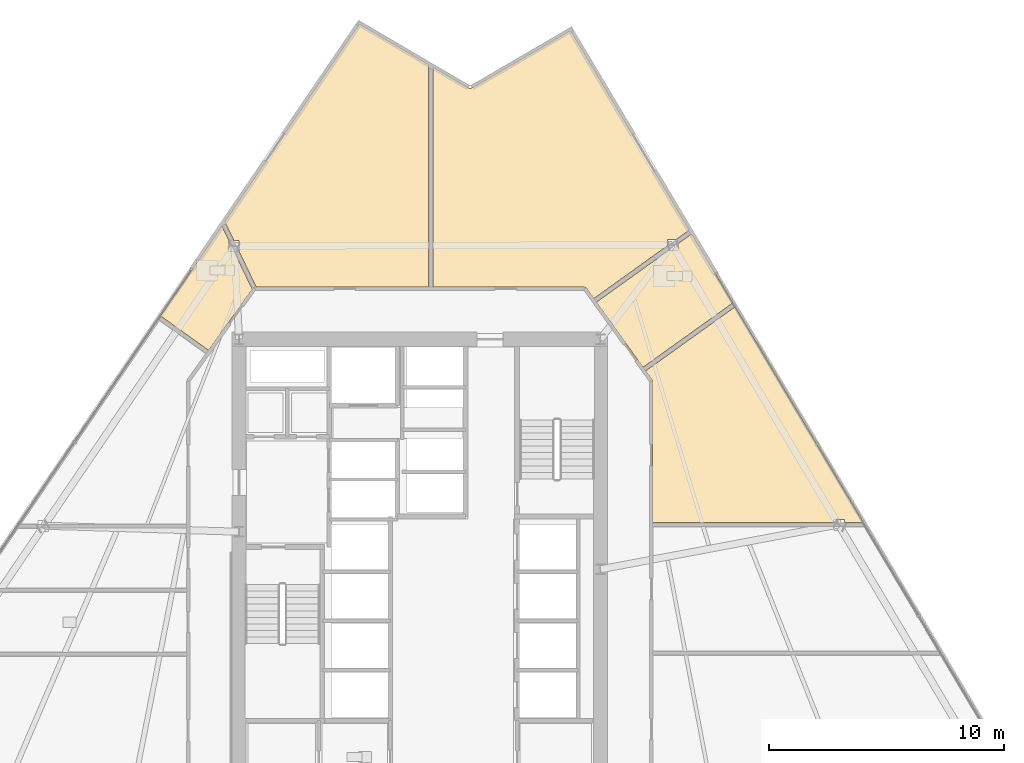
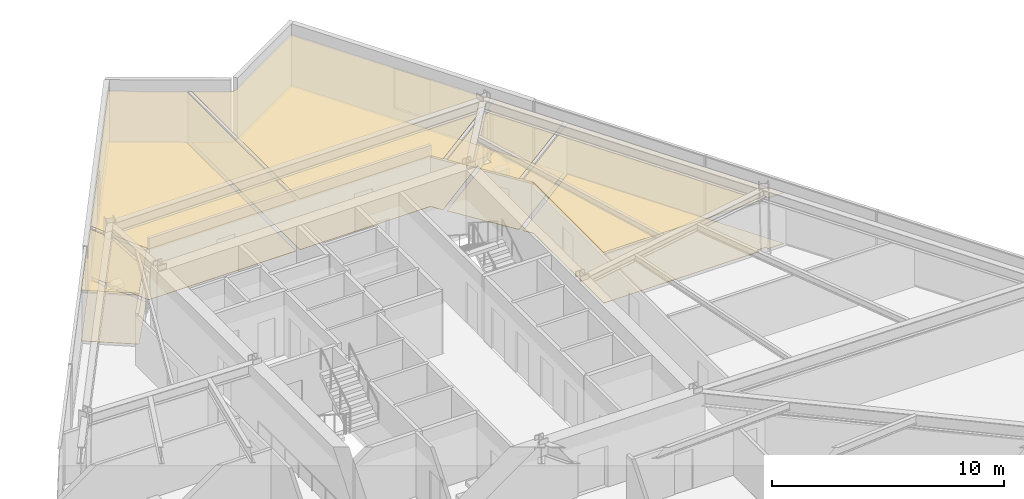
# One storey, part 15 of 16: 10 coverings.
"""IFC4 building model written with IfcOpenShell, lengths in metres."""

from ifc_helpers import new_model, si_unit, direction, frame, origin, place, context, subcontext, project, spatial, polyline, outline, extrude, material, layer, layer_set, type_object, element, save


model = new_model("IFC4")

# Units and contexts
model_context = context("Model", 3, precision=1e-05, world=origin(), true_north=direction((0.0, 1.0)))
body_context = subcontext(model_context, "Body", "Model", "MODEL_VIEW")
ifc_project = project(units=[si_unit("LENGTHUNIT", "METRE"), si_unit("AREAUNIT", "SQUARE_METRE"), si_unit("VOLUMEUNIT", "CUBIC_METRE"), si_unit("PLANEANGLEUNIT", "RADIAN"), si_unit("MASSUNIT", "GRAM", prefix="KILO")], contexts=[model_context])

# Site, building, storey
site_placement = place(None, origin())
site = spatial("IfcSite", under=ifc_project, at=site_placement, CompositionType="ELEMENT")
building_placement = place(site_placement, origin())
building = spatial("IfcBuilding", under=site, at=building_placement, Name="Savorim Split Tower", CompositionType="ELEMENT")
storey_placement = place(building_placement, frame((0.0, 0.0, 33.60009765625)))
storey = spatial("IfcBuildingStorey", under=building, at=storey_placement, Name="L08", CompositionType="ELEMENT", Elevation=33.60009765625)

# Coverings
ifc_material_1 = material(Name="Mineral Fibre Acoustic Ceiling")
ifc_layer_1 = layer(ifc_material_1, 0.02490234375)
ifc_layer_set_1 = layer_set([ifc_layer_1], Name="COV-CEIL-25")
covering_type_1 = type_object("IfcCoveringType", Name="COV-CEIL-25", PredefinedType="CEILING", material=ifc_layer_set_1)
covering_1_placement = place(storey_placement, frame((0.0, 0.0, 2.669921875)))
element("IfcCovering", 1, at=covering_1_placement, inside=storey, type_object=covering_type_1, Name="L08 Co-Working Commons Acoustic Ceiling", PredefinedType="CEILING", context=body_context, shape_type="SweptSolid", body=[
    extrude(outline(polyline([(18.09765625, 2.52099609375), (18.09765625, 2.383056640625), (18.906005859375, 2.383056640625), (18.90771484375, 2.383056640625), (13.4375, 11.58251953125), (9.627685546875, 8.852783203125), (9.893798828125, 8.4814453125), (9.901611328125, 8.46923828125), (9.908203125, 8.456298828125), (9.913330078125, 8.44287109375), (9.9169921875, 8.4287109375), (9.919189453125, 8.41455078125), (9.919921875, 8.39990234375), (9.919921875, 2.383056640625), (17.66162109375, 2.383056640625), (17.66162109375, 2.52099609375), (18.09765625, 2.52099609375)])), origin(), (0.0, 0.0, 1.0), 0.02490234375),
])
covering_2_placement = place(storey_placement, frame((0.0, 0.0, 2.669921875)))
element("IfcCovering", 2, at=covering_2_placement, inside=storey, type_object=covering_type_1, Name="L08 Shared Bathroom Acoustic Ceiling", PredefinedType="CEILING", context=body_context, shape_type="SweptSolid", body=[
    extrude(outline(polyline([(10.617919921875, 13.99462890625), (7.529296875, 11.78173828125), (7.529296875, 11.781494140625), (9.51708984375, 9.007080078125), (13.340087890625, 11.746337890625), (11.58935546875, 14.690673828125), (10.998046875, 14.26708984375), (10.998046875, 13.99462890625), (10.617919921875, 13.99462890625)])), origin(), (0.0, 0.0, 1.0), 0.02490234375),
])
covering_3_placement = place(storey_placement, frame((0.0, 0.0, 2.669921875)))
element("IfcCovering", 3, at=covering_3_placement, inside=storey, type_object=covering_type_1, Name="L08 Co-Working Commons Acoustic Ceiling", PredefinedType="CEILING", context=body_context, shape_type="SweptSolid", body=[
    extrude(outline(polyline([(2.110107421875, 20.895263671875), (2.099365234375, 20.899658203125), (2.089111328125, 20.90478515625), (0.56396484375, 21.80126953125), (0.56396484375, 12.419921875), (7.0, 12.419921875), (7.01318359375, 12.41943359375), (7.0263671875, 12.41748046875), (7.039306640625, 12.414306640625), (7.052001953125, 12.409912109375), (7.06396484375, 12.404541015625), (7.075439453125, 12.39794921875), (7.086181640625, 12.39013671875), (7.096435546875, 12.381591796875), (7.105712890625, 12.3720703125), (7.11376953125, 12.361572265625), (7.418701171875, 11.93603515625), (10.56201171875, 14.1884765625), (10.56201171875, 14.460693359375), (10.942138671875, 14.460693359375), (11.444580078125, 14.820556640625), (11.491943359375, 14.8544921875), (6.431396484375, 23.36474609375), (2.21044921875, 20.90478515625), (2.2001953125, 20.8994140625), (2.189453125, 20.89501953125), (2.178466796875, 20.891845703125), (2.1669921875, 20.8896484375), (2.155517578125, 20.888427734375), (2.14404296875, 20.888427734375), (2.132568359375, 20.8896484375), (2.12109375, 20.891845703125), (2.110107421875, 20.895263671875)])), origin(), (0.0, 0.0, 1.0), 0.02490234375),
])
covering_4_placement = place(storey_placement, frame((0.0, 0.0, 2.669921875)))
element("IfcCovering", 4, at=covering_4_placement, inside=storey, type_object=covering_type_1, Name="L08 Maker Workshop Acoustic Ceiling", PredefinedType="CEILING", context=body_context, shape_type="SweptSolid", body=[
    extrude(outline(polyline([(-6.966064453125, 12.419921875), (0.3740234375, 12.419921875), (0.3740234375, 21.9130859375), (-2.572509765625, 23.644775390625), (-8.32568359375, 15.187744140625), (-8.297607421875, 15.201171875), (-7.919677734375, 14.411865234375), (-7.695556640625, 14.411865234375), (-7.695556640625, 13.94580078125), (-7.696533203125, 13.94580078125), (-6.978271484375, 12.4453125), (-6.966064453125, 12.419921875)])), origin(), (0.0, 0.0, 1.0), 0.02490234375),
])
covering_5_placement = place(storey_placement, frame((0.0, 0.0, 2.669921875)))
element("IfcCovering", 5, at=covering_5_placement, inside=storey, type_object=covering_type_1, Name="L08 Shared Bathroom Acoustic Ceiling", PredefinedType="CEILING", context=body_context, shape_type="SweptSolid", body=[
    extrude(outline(polyline([(-8.131591796875, 14.411865234375), (-8.13037109375, 14.411865234375), (-8.427978515625, 15.033447265625), (-8.428955078125, 15.03564453125), (-11.04150390625, 11.195068359375), (-8.998291015625, 9.731201171875), (-7.134765625, 12.332275390625), (-7.9072265625, 13.94580078125), (-8.131591796875, 13.94580078125), (-8.131591796875, 14.411865234375)])), origin(), (0.0, 0.0, 1.0), 0.02490234375),
])
ifc_material_2 = material(Name="Porcelain Stoneware Flooring", Category="masonry")
ifc_layer_2 = layer(ifc_material_2, 0.02001953125)
ifc_layer_set_2 = layer_set([ifc_layer_2], Name="COV-FLOR-20")
covering_type_2 = type_object("IfcCoveringType", Name="COV-FLOR-20", PredefinedType="FLOORING", material=ifc_layer_set_2)
covering_6_placement = place(storey_placement, origin())
element("IfcCovering", 6, at=covering_6_placement, inside=storey, type_object=covering_type_2, Name="L08 Co-Working Commons Porcelain Flooring", PredefinedType="FLOORING", context=body_context, shape_type="SweptSolid", body=[
    extrude(outline(polyline([(18.09765625, 2.52099609375), (18.09765625, 2.383056640625), (18.906005859375, 2.383056640625), (18.90771484375, 2.383056640625), (13.4375, 11.58251953125), (9.627685546875, 8.852783203125), (9.893798828125, 8.4814453125), (9.901611328125, 8.46923828125), (9.908203125, 8.456298828125), (9.913330078125, 8.44287109375), (9.9169921875, 8.4287109375), (9.919189453125, 8.41455078125), (9.919921875, 8.39990234375), (9.919921875, 2.383056640625), (17.66162109375, 2.383056640625), (17.66162109375, 2.52099609375), (18.09765625, 2.52099609375)])), origin(), (0.0, 0.0, 1.0), 0.02001953125),
])
covering_7_placement = place(storey_placement, origin())
element("IfcCovering", 7, at=covering_7_placement, inside=storey, type_object=covering_type_2, Name="L08 Shared Bathroom Porcelain Flooring", PredefinedType="FLOORING", context=body_context, shape_type="SweptSolid", body=[
    extrude(outline(polyline([(10.617919921875, 13.99462890625), (7.529296875, 11.78173828125), (7.529296875, 11.781494140625), (9.51708984375, 9.007080078125), (13.340087890625, 11.746337890625), (11.58935546875, 14.690673828125), (10.998046875, 14.26708984375), (10.998046875, 13.99462890625), (10.617919921875, 13.99462890625)])), origin(), (0.0, 0.0, 1.0), 0.02001953125),
])
covering_8_placement = place(storey_placement, origin())
element("IfcCovering", 8, at=covering_8_placement, inside=storey, type_object=covering_type_2, Name="L08 Co-Working Commons Porcelain Flooring", PredefinedType="FLOORING", context=body_context, shape_type="SweptSolid", body=[
    extrude(outline(polyline([(2.110107421875, 20.895263671875), (2.099365234375, 20.899658203125), (2.089111328125, 20.90478515625), (0.56396484375, 21.80126953125), (0.56396484375, 12.419921875), (7.0, 12.419921875), (7.01318359375, 12.41943359375), (7.0263671875, 12.41748046875), (7.039306640625, 12.414306640625), (7.052001953125, 12.409912109375), (7.06396484375, 12.404541015625), (7.075439453125, 12.39794921875), (7.086181640625, 12.39013671875), (7.096435546875, 12.381591796875), (7.105712890625, 12.3720703125), (7.11376953125, 12.361572265625), (7.418701171875, 11.93603515625), (10.56201171875, 14.1884765625), (10.56201171875, 14.460693359375), (10.942138671875, 14.460693359375), (11.444580078125, 14.820556640625), (11.491943359375, 14.8544921875), (6.431396484375, 23.36474609375), (2.21044921875, 20.90478515625), (2.2001953125, 20.8994140625), (2.189453125, 20.89501953125), (2.178466796875, 20.891845703125), (2.1669921875, 20.8896484375), (2.155517578125, 20.888427734375), (2.14404296875, 20.888427734375), (2.132568359375, 20.8896484375), (2.12109375, 20.891845703125), (2.110107421875, 20.895263671875)])), origin(), (0.0, 0.0, 1.0), 0.02001953125),
])
covering_9_placement = place(storey_placement, origin())
element("IfcCovering", 9, at=covering_9_placement, inside=storey, type_object=covering_type_2, Name="L08 Maker Workshop Porcelain Flooring", PredefinedType="FLOORING", context=body_context, shape_type="SweptSolid", body=[
    extrude(outline(polyline([(-6.966064453125, 12.419921875), (0.3740234375, 12.419921875), (0.3740234375, 21.9130859375), (-2.572509765625, 23.644775390625), (-8.32568359375, 15.187744140625), (-8.297607421875, 15.201171875), (-7.919677734375, 14.411865234375), (-7.695556640625, 14.411865234375), (-7.695556640625, 13.94580078125), (-7.696533203125, 13.94580078125), (-6.978271484375, 12.4453125), (-6.966064453125, 12.419921875)])), origin(), (0.0, 0.0, 1.0), 0.02001953125),
])
covering_10_placement = place(storey_placement, origin())
element("IfcCovering", 10, at=covering_10_placement, inside=storey, type_object=covering_type_2, Name="L08 Shared Bathroom Porcelain Flooring", PredefinedType="FLOORING", context=body_context, shape_type="SweptSolid", body=[
    extrude(outline(polyline([(-8.131591796875, 14.411865234375), (-8.13037109375, 14.411865234375), (-8.427978515625, 15.033447265625), (-8.428955078125, 15.03564453125), (-11.04150390625, 11.195068359375), (-8.998291015625, 9.731201171875), (-7.134765625, 12.332275390625), (-7.9072265625, 13.94580078125), (-8.131591796875, 13.94580078125), (-8.131591796875, 14.411865234375)])), origin(), (0.0, 0.0, 1.0), 0.02001953125),
])

save(model, "model.ifc")
